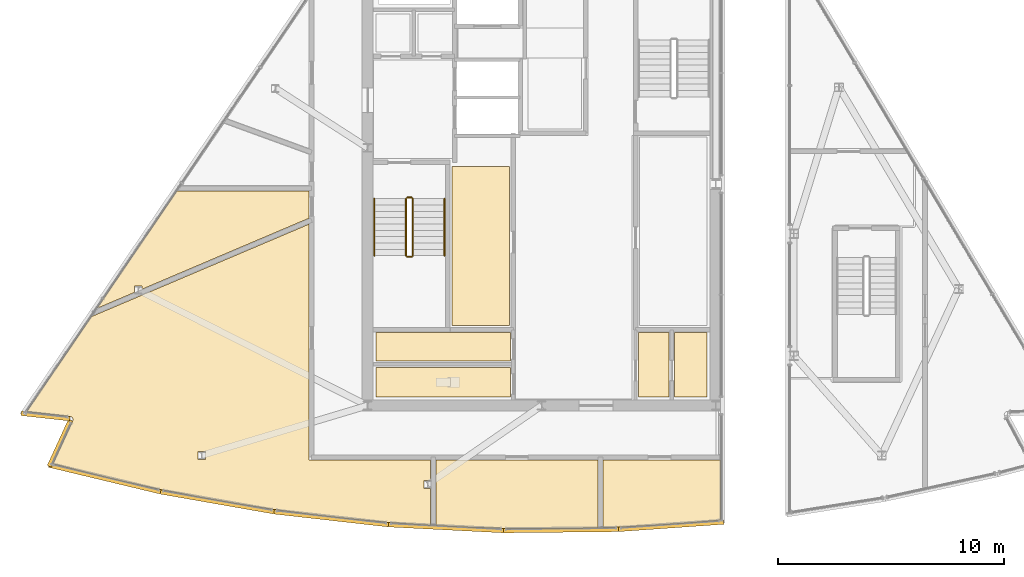
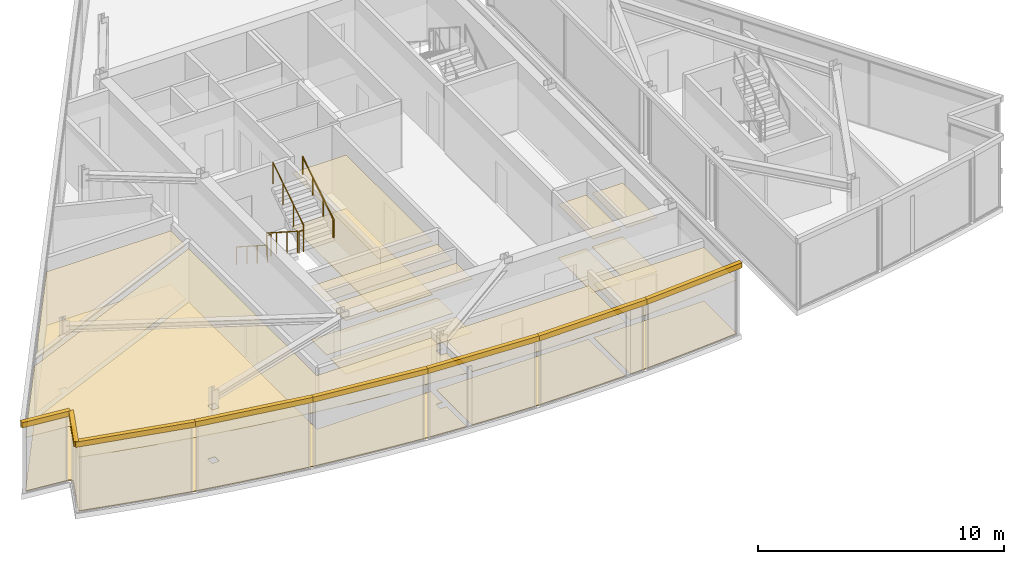
# One storey, part 11 of 15: 26 coverings, 6 railings.
"""IFC4 building model written with IfcOpenShell, lengths in metres."""

from ifc_helpers import new_model, si_unit, direction, frame, origin, origin_2d, place, context, subcontext, project, spatial, polyline, circle, outline, extrude, material, layer, layer_set, type_object, element, save


model = new_model("IFC4")

# Units and contexts
model_context = context("Model", 3, precision=1e-05, world=origin(), true_north=direction((0.0, 1.0)))
body_context = subcontext(model_context, "Body", "Model", "MODEL_VIEW")
ifc_project = project(units=[si_unit("LENGTHUNIT", "METRE"), si_unit("AREAUNIT", "SQUARE_METRE"), si_unit("VOLUMEUNIT", "CUBIC_METRE"), si_unit("PLANEANGLEUNIT", "RADIAN"), si_unit("MASSUNIT", "GRAM", prefix="KILO")], contexts=[model_context])

# Site, building, storey
site_placement = place(None, origin())
site = spatial("IfcSite", under=ifc_project, at=site_placement, CompositionType="ELEMENT")
building_placement = place(site_placement, origin())
building = spatial("IfcBuilding", under=site, at=building_placement, Name="Savorim Split Tower", CompositionType="ELEMENT")
storey_placement = place(building_placement, frame((0.0, 0.0, 308.39990234375)))
storey = spatial("IfcBuildingStorey", under=building, at=storey_placement, Name="Crown L82 Plant", CompositionType="ELEMENT", Elevation=308.39990234375)

# Coverings
ifc_material_1 = material(Name="Mineral Fibre Acoustic Ceiling")
ifc_layer_1 = layer(ifc_material_1, 0.02490234375)
ifc_layer_set_1 = layer_set([ifc_layer_1], Name="COV-CEIL-25")
covering_type_1 = type_object("IfcCoveringType", Name="COV-CEIL-25", PredefinedType="CEILING", material=ifc_layer_set_1)
covering_1_placement = place(storey_placement, frame((0.0, 0.0, 2.66015625)))
element("IfcCovering", 1, at=covering_1_placement, inside=storey, type_object=covering_type_1, Name="Crown L82 Plant Core Mechanical Store West Acoustic Ceiling", PredefinedType="CEILING", context=body_context, shape_type="SweptSolid", body=[
    extrude(outline(polyline([(-3.969970703125, 1.169921875), (-3.969970703125, -5.8701171875), (-1.429931640625, -5.8701171875), (-1.429931640625, 1.169921875), (-3.969970703125, 1.169921875)])), origin(), (0.0, 0.0, 1.0), 0.02490234375),
])
covering_2_placement = place(storey_placement, frame((0.0, 0.0, 2.66015625)))
element("IfcCovering", 2, at=covering_2_placement, inside=storey, type_object=covering_type_1, Name="Crown L82 Plant Cleaning Store Acoustic Ceiling", PredefinedType="CEILING", context=body_context, shape_type="SweptSolid", body=[
    extrude(outline(polyline([(-7.320068359375, -6.179931640625), (-7.320068359375, -7.43994140625), (-1.3798828125, -7.43994140625), (-1.3798828125, -6.179931640625), (-7.320068359375, -6.179931640625)])), origin(), (0.0, 0.0, 1.0), 0.02490234375),
])
covering_3_placement = place(storey_placement, frame((0.0, 0.0, 2.66015625)))
element("IfcCovering", 3, at=covering_3_placement, inside=storey, type_object=covering_type_1, Name="Crown L82 Plant Public WC Acoustic Ceiling", PredefinedType="CEILING", context=body_context, shape_type="SweptSolid", body=[
    extrude(outline(polyline([(-7.320068359375, -7.719970703125), (-7.320068359375, -9.02001953125), (-1.3798828125, -9.02001953125), (-1.3798828125, -7.719970703125), (-7.320068359375, -7.719970703125)])), origin(), (0.0, 0.0, 1.0), 0.02490234375),
])
covering_4_placement = place(storey_placement, frame((0.0, 0.0, 2.66015625)))
element("IfcCovering", 4, at=covering_4_placement, inside=storey, type_object=covering_type_1, Name="Crown L82 Plant Electrical Switch Plant Room Acoustic Ceiling", PredefinedType="CEILING", context=body_context, shape_type="SweptSolid", body=[
    extrude(outline(polyline([(4.280029296875, -6.179931640625), (4.280029296875, -9.02001953125), (5.6201171875, -9.02001953125), (5.6201171875, -6.179931640625), (4.280029296875, -6.179931640625)])), origin(), (0.0, 0.0, 1.0), 0.02490234375),
])
covering_5_placement = place(storey_placement, frame((0.0, 0.0, 2.66015625)))
element("IfcCovering", 5, at=covering_5_placement, inside=storey, type_object=covering_type_1, Name="Crown L82 Plant Refuse Chute Room Acoustic Ceiling", PredefinedType="CEILING", context=body_context, shape_type="SweptSolid", body=[
    extrude(outline(polyline([(5.8798828125, -6.179931640625), (5.8798828125, -9.02001953125), (7.320068359375, -9.02001953125), (7.320068359375, -6.179931640625), (5.8798828125, -6.179931640625)])), origin(), (0.0, 0.0, 1.0), 0.02490234375),
])
covering_6_placement = place(storey_placement, frame((0.0, 0.0, 2.66015625)))
element("IfcCovering", 6, at=covering_6_placement, inside=storey, type_object=covering_type_1, Name="Crown L82 Plant AHU Mechanical Plant Room Acoustic Ceiling", PredefinedType="CEILING", context=body_context, shape_type="SweptSolid", body=[
    extrude(outline(polyline([(-10.300048828125, 0.080078125), (-16.10888671875, 0.080078125), (-16.14208984375, 0.080078125), (-19.66796875, -5.102783203125), (-18.00537109375, -4.39599609375), (-18.00537109375, -4.11376953125), (-17.67529296875, -4.11376953125), (-17.67529296875, -4.255859375), (-10.300048828125, -1.12060546875), (-10.300048828125, 0.080078125)])), origin(), (0.0, 0.0, 1.0), 0.02490234375),
])
covering_7_placement = place(storey_placement, frame((0.0, 0.0, 2.66015625)))
element("IfcCovering", 7, at=covering_7_placement, inside=storey, type_object=covering_type_1, Name="Crown L82 Plant Chiller Plant Room Acoustic Ceiling", PredefinedType="CEILING", context=body_context, shape_type="SweptSolid", body=[
    extrude(outline(polyline([(-8.459716796875, -14.4140625), (-6.77197265625, -14.56982421875), (-5.081298828125, -14.691162109375), (-4.919921875, -14.699462890625), (-4.919921875, -13.06005859375), (-5.20458984375, -13.06005859375), (-5.20458984375, -12.710205078125), (-4.919921875, -12.710205078125), (-4.919921875, -11.800048828125), (-10.06005859375, -11.800048828125), (-10.179931640625, -11.800048828125), (-10.300048828125, -11.800048828125), (-10.300048828125, -11.56005859375), (-10.300048828125, -1.38134765625), (-19.81396484375, -5.42578125), (-19.91748046875, -5.4697265625), (-22.7744140625, -9.66943359375), (-20.855712890625, -9.8837890625), (-20.841796875, -9.885986328125), (-20.82861328125, -9.889404296875), (-20.8154296875, -9.894287109375), (-20.802978515625, -9.900634765625), (-20.791259765625, -9.907958984375), (-20.780029296875, -9.91650390625), (-20.77001953125, -9.926025390625), (-20.760986328125, -9.9365234375), (-20.7529296875, -9.947998046875), (-20.74609375, -9.960205078125), (-20.740478515625, -9.972900390625), (-20.736083984375, -9.986083984375), (-20.733154296875, -9.99951171875), (-20.7314453125, -10.013427734375), (-20.731201171875, -10.02734375), (-20.732421875, -10.041259765625), (-20.73486328125, -10.054931640625), (-20.73876953125, -10.068359375), (-20.743896484375, -10.081298828125), (-21.6142578125, -11.9755859375), (-20.134765625, -12.362548828125), (-18.486572265625, -12.7578125), (-16.830810546875, -13.119140625), (-15.167724609375, -13.446533203125), (-13.49853515625, -13.73974609375), (-11.823486328125, -13.998779296875), (-10.143798828125, -14.2236328125), (-8.459716796875, -14.4140625)]), holes=[polyline([(-14.872314453125, -11.776611328125), (-14.872314453125, -11.426513671875), (-15.2021484375, -11.426513671875), (-15.2021484375, -11.776611328125), (-14.872314453125, -11.776611328125)])]), origin(), (0.0, 0.0, 1.0), 0.02490234375),
])
covering_8_placement = place(storey_placement, frame((0.0, 0.0, 2.66015625)))
element("IfcCovering", 8, at=covering_8_placement, inside=storey, type_object=covering_type_1, Name="Crown L82 Plant Booster Pump Plant Room Acoustic Ceiling", PredefinedType="CEILING", context=body_context, shape_type="SweptSolid", body=[
    extrude(outline(polyline([(-1.694580078125, -14.829833984375), (0.0, -14.84716796875), (1.694580078125, -14.829833984375), (2.47998046875, -14.8056640625), (2.47998046875, -11.800048828125), (-4.679931640625, -11.800048828125), (-4.679931640625, -14.711669921875), (-3.388916015625, -14.77783203125), (-1.694580078125, -14.829833984375)])), origin(), (0.0, 0.0, 1.0), 0.02490234375),
])
covering_9_placement = place(storey_placement, frame((0.0, 0.0, 2.66015625)))
element("IfcCovering", 9, at=covering_9_placement, inside=storey, type_object=covering_type_1, Name="Crown L82 Plant Smoke Extract Fan Plant Room Acoustic Ceiling", PredefinedType="CEILING", context=body_context, shape_type="SweptSolid", body=[
    extrude(outline(polyline([(3.388916015625, -14.77783203125), (5.081298828125, -14.691162109375), (6.77197265625, -14.56982421875), (7.909912109375, -14.464599609375), (7.909912109375, -11.800048828125), (2.719970703125, -11.800048828125), (2.719970703125, -14.79833984375), (3.388916015625, -14.77783203125)])), origin(), (0.0, 0.0, 1.0), 0.02490234375),
])
ifc_material_2 = material(Name="Terracotta Ceramic-Coated Aluminium Fin", Category="masonry")
ifc_layer_2 = layer(ifc_material_2, 0.050048828125)
ifc_layer_set_2 = layer_set([ifc_layer_2], Name="COV-CLAD-TERRA")
covering_type_2 = type_object("IfcCoveringType", Name="COV-CLAD-TERRA", PredefinedType="CLADDING", material=ifc_layer_set_2)
covering_10_placement = place(storey_placement, frame((0.0, 0.0, 3.340087890625)))
element("IfcCovering", 10, at=covering_10_placement, inside=storey, type_object=covering_type_2, Name="Crown L82 Plant Sloped Crest Eave Spandrel W6", PredefinedType="CLADDING", context=body_context, shape_type="SweptSolid", body=[
    extrude(outline(polyline([(-23.027587890625, -9.84228515625), (-20.8779296875, -10.08251953125), (-20.855712890625, -9.8837890625), (-23.00537109375, -9.643798828125), (-23.027587890625, -9.84228515625)])), origin(), (0.0, 0.0, 1.0), 0.260009765625),
])
covering_11_placement = place(storey_placement, frame((0.0, 0.0, 3.340087890625)))
element("IfcCovering", 11, at=covering_11_placement, inside=storey, type_object=covering_type_2, Name="Crown L82 Plant Sloped Crest Eave Spandrel W7", PredefinedType="CLADDING", context=body_context, shape_type="SweptSolid", body=[
    extrude(outline(polyline([(-20.92578125, -9.997802734375), (-21.86572265625, -12.043701171875), (-21.68408203125, -12.127197265625), (-20.743896484375, -10.081298828125), (-20.92578125, -9.997802734375)])), origin(), (0.0, 0.0, 1.0), 0.260009765625),
])
covering_12_placement = place(storey_placement, frame((0.0, 0.0, 3.340087890625)))
element("IfcCovering", 12, at=covering_12_placement, inside=storey, type_object=covering_type_2, Name="Crown L82 Plant Sloped Crest Eave Spandrel W8", PredefinedType="CLADDING", context=body_context, shape_type="SweptSolid", body=[
    extrude(outline(polyline([(-21.8251953125, -12.127197265625), (-16.873046875, -13.314453125), (-16.826416015625, -13.1201171875), (-21.778564453125, -11.9326171875), (-21.8251953125, -12.127197265625)])), origin(), (0.0, 0.0, 1.0), 0.260009765625),
])
covering_13_placement = place(storey_placement, frame((0.0, 0.0, 3.340087890625)))
element("IfcCovering", 13, at=covering_13_placement, inside=storey, type_object=covering_type_2, Name="Crown L82 Plant Sloped Crest Eave Spandrel W9", PredefinedType="CLADDING", context=body_context, shape_type="SweptSolid", body=[
    extrude(outline(polyline([(-16.869384765625, -13.315185546875), (-11.85400390625, -14.196533203125), (-11.8193359375, -13.99951171875), (-16.8349609375, -13.118408203125), (-16.869384765625, -13.315185546875)])), origin(), (0.0, 0.0, 1.0), 0.260009765625),
])
covering_14_placement = place(storey_placement, frame((0.0, 0.0, 3.340087890625)))
element("IfcCovering", 14, at=covering_14_placement, inside=storey, type_object=covering_type_2, Name="Crown L82 Plant Sloped Crest Eave Spandrel W10", PredefinedType="CLADDING", context=body_context, shape_type="SweptSolid", body=[
    extrude(outline(polyline([(-11.850341796875, -14.197021484375), (-6.7900390625, -14.76904296875), (-6.767578125, -14.5703125), (-11.827880859375, -13.998291015625), (-11.850341796875, -14.197021484375)])), origin(), (0.0, 0.0, 1.0), 0.260009765625),
])
covering_15_placement = place(storey_placement, frame((0.0, 0.0, 3.340087890625)))
element("IfcCovering", 15, at=covering_15_placement, inside=storey, type_object=covering_type_2, Name="Crown L82 Plant Sloped Crest Eave Spandrel W11", PredefinedType="CLADDING", context=body_context, shape_type="SweptSolid", body=[
    extrude(outline(polyline([(-6.78662109375, -14.769287109375), (-1.70068359375, -15.02978515625), (-1.6904296875, -14.830078125), (-6.776123046875, -14.569580078125), (-6.78662109375, -14.769287109375)])), origin(), (0.0, 0.0, 1.0), 0.260009765625),
])
covering_16_placement = place(storey_placement, frame((0.0, 0.0, 3.340087890625)))
element("IfcCovering", 16, at=covering_16_placement, inside=storey, type_object=covering_type_2, Name="Crown L82 Plant Sloped Crest Eave Spandrel W12", PredefinedType="CLADDING", context=body_context, shape_type="SweptSolid", body=[
    extrude(outline(polyline([(-1.697021484375, -15.02978515625), (3.39501953125, -14.977783203125), (3.39306640625, -14.777587890625), (-1.698974609375, -14.829833984375), (-1.697021484375, -15.02978515625)])), origin(), (0.0, 0.0, 1.0), 0.260009765625),
])
covering_17_placement = place(storey_placement, frame((0.0, 0.0, 3.340087890625)))
element("IfcCovering", 17, at=covering_17_placement, inside=storey, type_object=covering_type_2, Name="Crown L82 Plant Sloped Crest Eave Spandrel W13", PredefinedType="CLADDING", context=body_context, shape_type="SweptSolid", body=[
    extrude(outline(polyline([(3.398681640625, -14.9775390625), (8.05419921875, -14.65234375), (8.040283203125, -14.45263671875), (3.384765625, -14.778076171875), (3.398681640625, -14.9775390625)])), origin(), (0.0, 0.0, 1.0), 0.260009765625),
])
ifc_material_3 = material(Name="Porcelain Stoneware Flooring", Category="masonry")
ifc_layer_3 = layer(ifc_material_3, 0.02001953125)
ifc_layer_set_3 = layer_set([ifc_layer_3], Name="COV-FLOR-20")
covering_type_3 = type_object("IfcCoveringType", Name="COV-FLOR-20", PredefinedType="FLOORING", material=ifc_layer_set_3)
covering_18_placement = place(storey_placement, origin())
element("IfcCovering", 18, at=covering_18_placement, inside=storey, type_object=covering_type_3, Name="Crown L82 Plant Core Mechanical Store West Porcelain Flooring", PredefinedType="FLOORING", context=body_context, shape_type="SweptSolid", body=[
    extrude(outline(polyline([(-3.969970703125, 1.169921875), (-3.969970703125, -5.8701171875), (-1.429931640625, -5.8701171875), (-1.429931640625, 1.169921875), (-3.969970703125, 1.169921875)])), origin(), (0.0, 0.0, 1.0), 0.02001953125),
])
covering_19_placement = place(storey_placement, origin())
element("IfcCovering", 19, at=covering_19_placement, inside=storey, type_object=covering_type_3, Name="Crown L82 Plant Cleaning Store Porcelain Flooring", PredefinedType="FLOORING", context=body_context, shape_type="SweptSolid", body=[
    extrude(outline(polyline([(-7.320068359375, -6.179931640625), (-7.320068359375, -7.43994140625), (-1.3798828125, -7.43994140625), (-1.3798828125, -6.179931640625), (-7.320068359375, -6.179931640625)])), origin(), (0.0, 0.0, 1.0), 0.02001953125),
])
covering_20_placement = place(storey_placement, origin())
element("IfcCovering", 20, at=covering_20_placement, inside=storey, type_object=covering_type_3, Name="Crown L82 Plant Public WC Porcelain Flooring", PredefinedType="FLOORING", context=body_context, shape_type="SweptSolid", body=[
    extrude(outline(polyline([(-7.320068359375, -7.719970703125), (-7.320068359375, -9.02001953125), (-1.3798828125, -9.02001953125), (-1.3798828125, -7.719970703125), (-7.320068359375, -7.719970703125)])), origin(), (0.0, 0.0, 1.0), 0.02001953125),
])
covering_21_placement = place(storey_placement, origin())
element("IfcCovering", 21, at=covering_21_placement, inside=storey, type_object=covering_type_3, Name="Crown L82 Plant Electrical Switch Plant Room Porcelain Flooring", PredefinedType="FLOORING", context=body_context, shape_type="SweptSolid", body=[
    extrude(outline(polyline([(4.280029296875, -6.179931640625), (4.280029296875, -9.02001953125), (5.6201171875, -9.02001953125), (5.6201171875, -6.179931640625), (4.280029296875, -6.179931640625)])), origin(), (0.0, 0.0, 1.0), 0.02001953125),
])
covering_22_placement = place(storey_placement, origin())
element("IfcCovering", 22, at=covering_22_placement, inside=storey, type_object=covering_type_3, Name="Crown L82 Plant Refuse Chute Room Porcelain Flooring", PredefinedType="FLOORING", context=body_context, shape_type="SweptSolid", body=[
    extrude(outline(polyline([(5.8798828125, -6.179931640625), (5.8798828125, -9.02001953125), (7.320068359375, -9.02001953125), (7.320068359375, -6.179931640625), (5.8798828125, -6.179931640625)])), origin(), (0.0, 0.0, 1.0), 0.02001953125),
])
covering_23_placement = place(storey_placement, origin())
element("IfcCovering", 23, at=covering_23_placement, inside=storey, type_object=covering_type_3, Name="Crown L82 Plant AHU Mechanical Plant Room Porcelain Flooring", PredefinedType="FLOORING", context=body_context, shape_type="SweptSolid", body=[
    extrude(outline(polyline([(-10.300048828125, 0.080078125), (-16.10888671875, 0.080078125), (-16.14208984375, 0.080078125), (-19.66796875, -5.102783203125), (-18.00537109375, -4.39599609375), (-18.00537109375, -4.11376953125), (-17.67529296875, -4.11376953125), (-17.67529296875, -4.255859375), (-10.300048828125, -1.12060546875), (-10.300048828125, 0.080078125)])), origin(), (0.0, 0.0, 1.0), 0.02001953125),
])
covering_24_placement = place(storey_placement, origin())
element("IfcCovering", 24, at=covering_24_placement, inside=storey, type_object=covering_type_3, Name="Crown L82 Plant Chiller Plant Room Porcelain Flooring", PredefinedType="FLOORING", context=body_context, shape_type="SweptSolid", body=[
    extrude(outline(polyline([(-8.459716796875, -14.4140625), (-6.77197265625, -14.56982421875), (-5.081298828125, -14.691162109375), (-4.919921875, -14.699462890625), (-4.919921875, -13.06005859375), (-5.20458984375, -13.06005859375), (-5.20458984375, -12.710205078125), (-4.919921875, -12.710205078125), (-4.919921875, -11.800048828125), (-10.06005859375, -11.800048828125), (-10.179931640625, -11.800048828125), (-10.300048828125, -11.800048828125), (-10.300048828125, -11.56005859375), (-10.300048828125, -1.38134765625), (-19.81396484375, -5.42578125), (-19.91748046875, -5.4697265625), (-22.7744140625, -9.66943359375), (-20.855712890625, -9.8837890625), (-20.841796875, -9.885986328125), (-20.82861328125, -9.889404296875), (-20.8154296875, -9.894287109375), (-20.802978515625, -9.900634765625), (-20.791259765625, -9.907958984375), (-20.780029296875, -9.91650390625), (-20.77001953125, -9.926025390625), (-20.760986328125, -9.9365234375), (-20.7529296875, -9.947998046875), (-20.74609375, -9.960205078125), (-20.740478515625, -9.972900390625), (-20.736083984375, -9.986083984375), (-20.733154296875, -9.99951171875), (-20.7314453125, -10.013427734375), (-20.731201171875, -10.02734375), (-20.732421875, -10.041259765625), (-20.73486328125, -10.054931640625), (-20.73876953125, -10.068359375), (-20.743896484375, -10.081298828125), (-21.6142578125, -11.9755859375), (-20.134765625, -12.362548828125), (-18.486572265625, -12.7578125), (-16.830810546875, -13.119140625), (-15.167724609375, -13.446533203125), (-13.49853515625, -13.73974609375), (-11.823486328125, -13.998779296875), (-10.143798828125, -14.2236328125), (-8.459716796875, -14.4140625)]), holes=[polyline([(-14.872314453125, -11.776611328125), (-14.872314453125, -11.426513671875), (-15.2021484375, -11.426513671875), (-15.2021484375, -11.776611328125), (-14.872314453125, -11.776611328125)])]), origin(), (0.0, 0.0, 1.0), 0.02001953125),
])
covering_25_placement = place(storey_placement, origin())
element("IfcCovering", 25, at=covering_25_placement, inside=storey, type_object=covering_type_3, Name="Crown L82 Plant Booster Pump Plant Room Porcelain Flooring", PredefinedType="FLOORING", context=body_context, shape_type="SweptSolid", body=[
    extrude(outline(polyline([(-1.694580078125, -14.829833984375), (0.0, -14.84716796875), (1.694580078125, -14.829833984375), (2.47998046875, -14.8056640625), (2.47998046875, -11.800048828125), (-4.679931640625, -11.800048828125), (-4.679931640625, -14.711669921875), (-3.388916015625, -14.77783203125), (-1.694580078125, -14.829833984375)])), origin(), (0.0, 0.0, 1.0), 0.02001953125),
])
covering_26_placement = place(storey_placement, origin())
element("IfcCovering", 26, at=covering_26_placement, inside=storey, type_object=covering_type_3, Name="Crown L82 Plant Smoke Extract Fan Plant Room Porcelain Flooring", PredefinedType="FLOORING", context=body_context, shape_type="SweptSolid", body=[
    extrude(outline(polyline([(3.388916015625, -14.77783203125), (5.081298828125, -14.691162109375), (6.77197265625, -14.56982421875), (7.909912109375, -14.464599609375), (7.909912109375, -11.800048828125), (2.719970703125, -11.800048828125), (2.719970703125, -14.79833984375), (3.388916015625, -14.77783203125)])), origin(), (0.0, 0.0, 1.0), 0.02001953125),
])

# Railings
ifc_material_4 = material(Name="Galvanised Painted Steel Balustrade", Category="steel")
railing_type_1 = type_object("IfcRailingType", Name="RLG-HR-900", PredefinedType="HANDRAIL", material=ifc_material_4)
railing_1_placement = place(storey_placement, frame((-7.39990234375, -0.25, 0.18017578125)))
element("IfcRailing", 27, at=railing_1_placement, inside=storey, type_object=railing_type_1, Name="Crown L82 Plant ST-1 stair handrail 1", PredefinedType="HANDRAIL", context=body_context, shape_type="SweptSolid", body=[
    extrude(circle(Radius=0.02392578125, at=origin_2d()), frame((0.0, 0.0, 0.8759765625), z_axis=(0.0, -0.841199657755, 0.540724639528), x_axis=(1.0, 0.0, 0.0)), (0.0, 0.0, 1.0), 2.995849609375),
    extrude(circle(Radius=0.02099609375, at=origin_2d()), origin(), (0.0, 0.0, 1.0), 0.851806640625),
    extrude(circle(Radius=0.02099609375, at=origin_2d()), frame((0.0, -0.840087890625, 0.5400390625)), (0.0, 0.0, 1.0), 0.851806640625),
    extrude(circle(Radius=0.02099609375, at=origin_2d()), frame((0.0, -1.679931640625, 1.079833984375)), (0.0, 0.0, 1.0), 0.851806640625),
    extrude(circle(Radius=0.02099609375, at=origin_2d()), frame((0.0, -2.52001953125, 1.619873046875)), (0.0, 0.0, 1.0), 0.851806640625),
])
railing_2_placement = place(storey_placement, frame((-4.300048828125, -2.77001953125, 1.97998046875)))
element("IfcRailing", 28, at=railing_2_placement, inside=storey, type_object=railing_type_1, Name="Crown L82 Plant ST-1 stair handrail 2", PredefinedType="HANDRAIL", context=body_context, shape_type="SweptSolid", body=[
    extrude(circle(Radius=0.02392578125, at=origin_2d()), frame((0.0, 0.0, 0.8759765625), z_axis=(0.0, 0.841162588446, 0.540782303519), x_axis=(-1.0, 0.0, 0.0)), (0.0, 0.0, 1.0), 2.995849609375),
    extrude(circle(Radius=0.02099609375, at=origin_2d()), origin(), (0.0, 0.0, 1.0), 0.851806640625),
    extrude(circle(Radius=0.02099609375, at=origin_2d()), frame((0.0, 0.840087890625, 0.5400390625)), (0.0, 0.0, 1.0), 0.851806640625),
    extrude(circle(Radius=0.02099609375, at=origin_2d()), frame((0.0, 1.679931640625, 1.080078125)), (0.0, 0.0, 1.0), 0.851806640625),
    extrude(circle(Radius=0.02099609375, at=origin_2d()), frame((0.0, 2.52001953125, 1.6201171875)), (0.0, 0.0, 1.0), 0.851806640625),
])
railing_type_2 = type_object("IfcRailingType", Name="RLG-STG-1100", PredefinedType="BALUSTRADE", material=ifc_material_4)
railing_3_placement = place(storey_placement, frame((-6.0, -0.25, 0.18017578125)))
element("IfcRailing", 29, at=railing_3_placement, inside=storey, type_object=railing_type_2, Name="Crown L82 Plant ST-1 stair guard 1", PredefinedType="BALUSTRADE", context=body_context, shape_type="SweptSolid", body=[
    extrude(circle(Radius=0.02392578125, at=origin_2d()), frame((0.0, 0.0, 1.076171875), z_axis=(0.0, -0.841199657755, 0.540724639528), x_axis=(1.0, 0.0, 0.0)), (0.0, 0.0, 1.0), 2.995849609375),
    extrude(circle(Radius=0.02099609375, at=origin_2d()), origin(), (0.0, 0.0, 1.0), 1.052001953125),
    extrude(circle(Radius=0.02099609375, at=origin_2d()), frame((0.0, -0.840087890625, 0.5400390625)), (0.0, 0.0, 1.0), 1.052001953125),
    extrude(circle(Radius=0.02099609375, at=origin_2d()), frame((0.0, -1.679931640625, 1.079833984375)), (0.0, 0.0, 1.0), 1.052001953125),
    extrude(circle(Radius=0.02099609375, at=origin_2d()), frame((0.0, -2.52001953125, 1.619873046875)), (0.0, 0.0, 1.0), 1.052001953125),
])
railing_4_placement = place(storey_placement, frame((-5.949951171875, -2.820068359375, 1.800048828125)))
element("IfcRailing", 30, at=railing_4_placement, inside=storey, type_object=railing_type_2, Name="Crown L82 Plant ST-1 stair guard 2", PredefinedType="BALUSTRADE", context=body_context, shape_type="SweptSolid", body=[
    extrude(circle(Radius=0.02392578125, at=origin_2d()), frame((0.0, 0.0, 1.076171875), z_axis=(1.0, 0.0, 0.0), x_axis=(0.0, 1.0, 0.0)), (0.0, 0.0, 1.0), 0.199951171875),
    extrude(circle(Radius=0.02099609375, at=origin_2d()), origin(), (0.0, 0.0, 1.0), 1.052001953125),
    extrude(circle(Radius=0.02099609375, at=origin_2d()), frame((0.199951171875, 0.0, 0.0)), (0.0, 0.0, 1.0), 1.052001953125),
])
railing_5_placement = place(storey_placement, frame((-5.699951171875, -2.77001953125, 1.97998046875)))
element("IfcRailing", 31, at=railing_5_placement, inside=storey, type_object=railing_type_2, Name="Crown L82 Plant ST-1 stair guard 3", PredefinedType="BALUSTRADE", context=body_context, shape_type="SweptSolid", body=[
    extrude(circle(Radius=0.02392578125, at=origin_2d()), frame((0.0, 0.0, 1.076171875), z_axis=(0.0, 0.841162588446, 0.540782303519), x_axis=(-1.0, 0.0, 0.0)), (0.0, 0.0, 1.0), 2.995849609375),
    extrude(circle(Radius=0.02099609375, at=origin_2d()), origin(), (0.0, 0.0, 1.0), 1.052001953125),
    extrude(circle(Radius=0.02099609375, at=origin_2d()), frame((0.0, 0.840087890625, 0.5400390625)), (0.0, 0.0, 1.0), 1.052001953125),
    extrude(circle(Radius=0.02099609375, at=origin_2d()), frame((0.0, 1.679931640625, 1.080078125)), (0.0, 0.0, 1.0), 1.052001953125),
    extrude(circle(Radius=0.02099609375, at=origin_2d()), frame((0.0, 2.52001953125, 1.6201171875)), (0.0, 0.0, 1.0), 1.052001953125),
])
railing_6_placement = place(storey_placement, frame((-5.949951171875, -0.199951171875, 0.0)))
element("IfcRailing", 32, at=railing_6_placement, inside=storey, type_object=railing_type_2, Name="Crown L82 Plant ST-1 stair guard 4", PredefinedType="BALUSTRADE", context=body_context, shape_type="SweptSolid", body=[
    extrude(circle(Radius=0.02392578125, at=origin_2d()), frame((0.0, 0.0, 1.076171875), z_axis=(1.0, 0.0, 0.0), x_axis=(0.0, 1.0, 0.0)), (0.0, 0.0, 1.0), 0.199951171875),
    extrude(circle(Radius=0.02099609375, at=origin_2d()), origin(), (0.0, 0.0, 1.0), 1.052001953125),
    extrude(circle(Radius=0.02099609375, at=origin_2d()), frame((0.199951171875, 0.0, 0.0)), (0.0, 0.0, 1.0), 1.052001953125),
])

save(model, "model.ifc")
